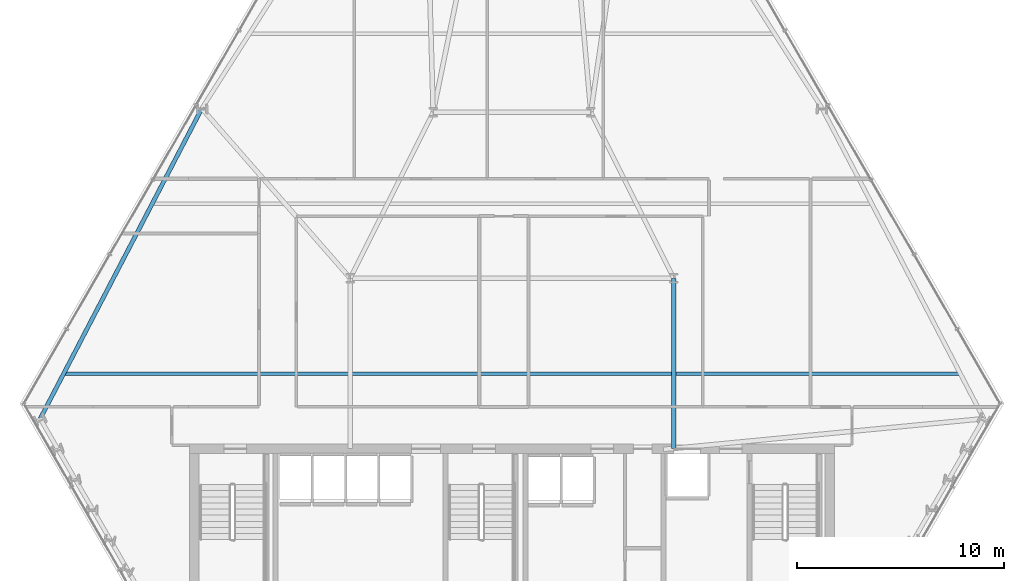
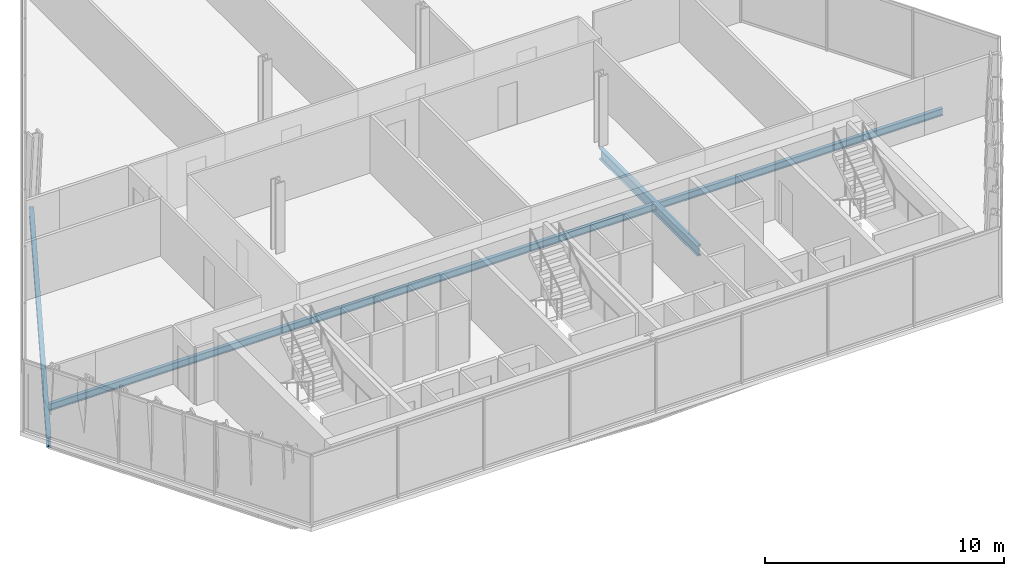
# One storey, part 12 of 32: 3 beams.
"""IFC4 building model written with IfcOpenShell, lengths in metres."""

import ifcopenshell
import ifcopenshell.guid

model = None  # the IFC model being written
_history = None  # IfcOwnerHistory: only IFC2X3 demands one
_inside = {}  # id of a spatial element -> (the spatial element, [elements in it])
_under = {}  # id of a project, library or spatial element -> (it, [spatial elements below it])
_declared = {}  # id of a project -> (the project, [libraries it declares])
_typed = {}  # id of a type object -> (the type object, [elements of that type])
_made_of = {}  # id of a material, layer set ... -> (it, [elements and type objects made of it])


def new_model(schema):
    """Start an empty IFC model of exactly this schema.

    Asked for "IFC4X3", IfcOpenShell would pick the latest addendum, in which some entities
    have other attributes; the version numbers below select the first issue.
    IFC2X3 requires an IfcOwnerHistory on every rooted entity: one is made here for all.
    """
    global model, _history
    if schema == "IFC4X3":
        model = ifcopenshell.file(schema_version=(4, 3, 0, 0))
    else:
        model = ifcopenshell.file(schema=schema)
    _inside.clear()
    _under.clear()
    _declared.clear()
    _typed.clear()
    _made_of.clear()
    _history = None
    if model.schema == "IFC2X3":
        org = make("IfcOrganization", Name="unknown")
        user = make(
            "IfcPersonAndOrganization",
            ThePerson=make("IfcPerson", FamilyName="unknown"),
            TheOrganization=org,
        )
        app = make(
            "IfcApplication",
            ApplicationDeveloper=org,
            Version="unknown",
            ApplicationFullName="unknown",
            ApplicationIdentifier="unknown",
        )
        _history = make(
            "IfcOwnerHistory",
            OwningUser=user,
            OwningApplication=app,
            ChangeAction="ADDED",
            CreationDate=0,
        )
    return model


def make(cls, **values):
    """One entity of the class cls with the attributes given. An attribute that is None is left unset."""
    return model.create_entity(
        cls, **{name: value for name, value in values.items() if value is not None}
    )


def rooted(cls, **values):
    """An entity with a GlobalId (a new one), such as an element, a storey or a relation."""
    return make(cls, GlobalId=ifcopenshell.guid.new(), OwnerHistory=_history, **values)


def si_unit(unit_type, name, prefix=None):
    """IfcSIUnit, for example si_unit("LENGTHUNIT", "METRE", prefix="MILLI")."""
    return make("IfcSIUnit", UnitType=unit_type, Prefix=prefix, Name=name)


def assignment(units):
    """IfcUnitAssignment: the units of a project."""
    return None if units is None else make("IfcUnitAssignment", Units=units)


def point(xyz):
    """IfcCartesianPoint."""
    return None if xyz is None else make("IfcCartesianPoint", Coordinates=xyz)


def direction(xyz):
    """IfcDirection."""
    return None if xyz is None else make("IfcDirection", DirectionRatios=xyz)


def frame(location, z_axis=None, x_axis=None):
    """IfcAxis2Placement3D, a coordinate frame: its origin and axes. An axis left out is left unset."""
    return make(
        "IfcAxis2Placement3D",
        Location=point(location),
        Axis=direction(z_axis),
        RefDirection=direction(x_axis),
    )


def frame_2d(location, x_axis=None):
    """IfcAxis2Placement2D, a coordinate frame in the plane: its origin and x axis."""
    return make(
        "IfcAxis2Placement2D", Location=point(location), RefDirection=direction(x_axis)
    )


def origin():
    """The frame at (0, 0, 0) with its axes left unset."""
    return frame((0.0, 0.0, 0.0))


def origin_2d():
    """The frame at (0, 0) in the plane with its x axis left unset."""
    return frame_2d((0.0, 0.0))


def place(relative_to, where):
    """IfcLocalPlacement: puts the frame where relative to a parent placement (None: the world)."""
    return make(
        "IfcLocalPlacement", PlacementRelTo=relative_to, RelativePlacement=where
    )


def context(
    kind, dimensions, precision=None, world=None, true_north=None, identifier=None
):
    """IfcGeometricRepresentationContext, for example the 3D "Model" context."""
    return make(
        "IfcGeometricRepresentationContext",
        ContextIdentifier=identifier,
        ContextType=kind,
        CoordinateSpaceDimension=dimensions,
        Precision=precision,
        WorldCoordinateSystem=world,
        TrueNorth=true_north,
    )


def subcontext(parent, identifier, kind, view, scale=None):
    """IfcGeometricRepresentationSubContext, for example "Body" below "Model"."""
    return make(
        "IfcGeometricRepresentationSubContext",
        ContextIdentifier=identifier,
        ContextType=kind,
        ParentContext=parent,
        TargetScale=scale,
        TargetView=view,
    )


def project(units=None, contexts=None):
    """IfcProject with its units and contexts."""
    return rooted(
        "IfcProject",
        Name="project",
        RepresentationContexts=contexts,
        UnitsInContext=assignment(units),
    )


def spatial(cls, under=None, at=None, **own):
    """A site, building, storey or space (cls), placed at a placement, below another one or the project."""
    s = rooted(cls, ObjectPlacement=at, **own)
    if under is not None:
        _under.setdefault(under.id(), (under, []))[1].append(s)
    return s


def profile(cls, at=None, kind="AREA", **sizes):
    """A parametric profile (cls). Its sizes go by their IFC names, for example OverallWidth=200.0."""
    return make(cls, ProfileType=kind, Position=at, **sizes)


def i_section(**sizes):
    """IfcIShapeProfileDef."""
    return profile("IfcIShapeProfileDef", **sizes)


def extrude(swept, where, along, depth):
    """IfcExtrudedAreaSolid: the profile swept, set in the frame where, extruded along a direction by depth."""
    return make(
        "IfcExtrudedAreaSolid",
        SweptArea=swept,
        Position=where,
        ExtrudedDirection=direction(along),
        Depth=depth,
    )


def shape(context_of_items, identifier, shape_type, items):
    """IfcShapeRepresentation: the items that make up one representation, for example the "Body"."""
    return make(
        "IfcShapeRepresentation",
        ContextOfItems=context_of_items,
        RepresentationIdentifier=identifier,
        RepresentationType=shape_type,
        Items=items,
    )


def material(Name=None, Category=None):
    """IfcMaterial."""
    return make("IfcMaterial", Name=Name, Category=Category)


def material_profile(
    of_material, cross_section, Name=None, Category=None, Priority=None
):
    """IfcMaterialProfile: a cross section and its material."""
    return make(
        "IfcMaterialProfile",
        Name=Name,
        Material=of_material,
        Profile=cross_section,
        Priority=Priority,
        Category=Category,
    )


def profile_set(profiles, Name=None, composite=None):
    """IfcMaterialProfileSet."""
    return make(
        "IfcMaterialProfileSet",
        Name=Name,
        MaterialProfiles=profiles,
        CompositeProfile=composite,
    )


def made_of(thing, what):
    """Note that an element or type object is made of a material, layer set ...; save() writes the relation."""
    if what is not None:
        _made_of.setdefault(what.id(), (what, []))[1].append(thing)
    return thing


def type_object(cls, material=None, **own):
    """A type object (cls), such as IfcWallType, which elements share."""
    return made_of(rooted(cls, **own), material)


def element(
    cls,
    number,
    at=None,
    inside=None,
    cuts=None,
    type_object=None,
    material=None,
    context=None,
    identifier="Body",
    shape_type=None,
    held_by="IfcProductDefinitionShape",
    body=None,
    shapes=None,
    **own,
):
    """One element of the class cls, such as IfcWall. Its Tag is "e" and its number.

    at: its placement. inside: the storey or other place that contains it. cuts: it is an
    opening in that element (IfcRelVoidsElement). A single representation is given by context,
    identifier, shape_type and body (its items); several are given by shapes. held_by: the class
    of the entity that holds the representations. save() writes the other relations.
    """
    e = rooted(cls, Tag="e%d" % number, ObjectPlacement=at, **own)
    if body is not None:
        shapes = [shape(context, identifier, shape_type, body)]
    if shapes is not None:
        e.Representation = make(held_by, Representations=shapes)
    if inside is not None:
        _inside.setdefault(inside.id(), (inside, []))[1].append(e)
    if cuts is not None:
        rooted(
            "IfcRelVoidsElement", RelatingBuildingElement=cuts, RelatedOpeningElement=e
        )
    if type_object is not None:
        _typed.setdefault(type_object.id(), (type_object, []))[1].append(e)
    return made_of(e, material)


def aggregate(whole, parts):
    """IfcRelAggregates: a whole, such as a stair, and the parts it consists of."""
    return rooted("IfcRelAggregates", RelatingObject=whole, RelatedObjects=parts)


def save(model, path):
    """Write the relations noted so far, then the file.

    IfcRelAggregates (storeys below a building ...), IfcRelContainedInSpatialStructure (elements
    in a storey), IfcRelDefinesByType, IfcRelAssociatesMaterial and IfcRelDeclares: one each for
    every whole, place, type object, material and project.
    """
    for whole, parts in _under.values():
        aggregate(whole, parts)
    for where, things in _inside.values():
        rooted(
            "IfcRelContainedInSpatialStructure",
            RelatedElements=things,
            RelatingStructure=where,
        )
    for kind, things in _typed.values():
        rooted("IfcRelDefinesByType", RelatedObjects=things, RelatingType=kind)
    for what, things in _made_of.values():
        rooted("IfcRelAssociatesMaterial", RelatedObjects=things, RelatingMaterial=what)
    for by, libraries in _declared.values():
        rooted("IfcRelDeclares", RelatingContext=by, RelatedDefinitions=libraries)
    model.write(path)


model = new_model("IFC4")

# Units and contexts
model_context = context("Model", 3, precision=1e-05, world=origin(), true_north=direction((0.0, 1.0)))
body_context = subcontext(model_context, "Body", "Model", "MODEL_VIEW")
ifc_project = project(units=[si_unit("LENGTHUNIT", "METRE"), si_unit("AREAUNIT", "SQUARE_METRE"), si_unit("VOLUMEUNIT", "CUBIC_METRE"), si_unit("PLANEANGLEUNIT", "RADIAN"), si_unit("MASSUNIT", "GRAM", prefix="KILO")], contexts=[model_context])

# Site, building, storey
site_placement = place(None, origin())
site = spatial("IfcSite", under=ifc_project, at=site_placement, CompositionType="ELEMENT")
building_placement = place(site_placement, origin())
building = spatial("IfcBuilding", under=site, at=building_placement, Name="Ndaravel Arena Tower", CompositionType="ELEMENT")
storey_placement = place(building_placement, frame((0.0, 0.0, 96.800048828125)))
storey = spatial("IfcBuildingStorey", under=building, at=storey_placement, Name="L22", CompositionType="ELEMENT", Elevation=96.800048828125)

# Beams
ifc_material_1 = material(Name="Steel S355", Category="steel")
ifc_material_profile_1 = material_profile(ifc_material_1, i_section(OverallWidth=0.210693359375, OverallDepth=0.53955078125, WebThickness=0.01171875, FlangeThickness=0.018798828125, FilletRadius=0.0126953125, at=origin_2d()), Name="UB 533x210x109")
ifc_profile_set_1 = profile_set([ifc_material_profile_1], Name="Steel S355")
beam_type_1 = type_object("IfcBeamType", Name="BM-GIRD-UB533", PredefinedType="BEAM", material=ifc_profile_set_1)
beam_1_placement = place(storey_placement, frame((49.800048828125, 14.97998046875, -0.48974609375), z_axis=(0.0, 1.0, 0.0), x_axis=(-1.0, 0.0, 0.0)))
element("IfcBeam", 1, at=beam_1_placement, inside=storey, type_object=beam_type_1, Name="L22 Spine Link Girder SLG-02", PredefinedType="BEAM", context=body_context, shape_type="SweptSolid", body=[
    extrude(i_section(OverallWidth=0.210693359375, OverallDepth=0.53955078125, WebThickness=0.01171875, FlangeThickness=0.018798828125, FilletRadius=0.0126953125, at=origin_2d()), origin(), (0.0, 0.0, 1.0), 8.219970703125),
])
ifc_material_2 = material(Name="Steel S355", Category="steel")
ifc_material_profile_2 = material_profile(ifc_material_2, i_section(OverallWidth=0.169921875, OverallDepth=0.360107421875, WebThickness=0.008056640625, FlangeThickness=0.0126953125, FilletRadius=0.01806640625, at=origin_2d()), Name="IPE 360")
ifc_profile_set_2 = profile_set([ifc_material_profile_2], Name="Steel S355")
beam_type_2 = type_object("IfcBeamType", Name="BM-JOIST-IPE360", PredefinedType="JOIST", material=ifc_profile_set_2)
beam_2_placement = place(storey_placement, frame((20.38037109375, 18.60009765625, -0.400146484375), z_axis=(1.0, 0.0, 0.0), x_axis=(0.0, 1.0, 0.0)))
element("IfcBeam", 2, at=beam_2_placement, inside=storey, type_object=beam_type_2, Name="L22 Composite Floor Joist FJ-01", PredefinedType="JOIST", context=body_context, shape_type="SweptSolid", body=[
    extrude(i_section(OverallWidth=0.169921875, OverallDepth=0.360107421875, WebThickness=0.008056640625, FlangeThickness=0.0126953125, FilletRadius=0.01806640625, at=origin_2d()), origin(), (0.0, 0.0, 1.0), 43.2392578125),
])
ifc_material_3 = material(Name="Steel S355", Category="steel")
ifc_material_profile_3 = material_profile(ifc_material_3, i_section(OverallWidth=0.199951171875, OverallDepth=0.5, WebThickness=0.01025390625, FlangeThickness=0.01611328125, FilletRadius=0.02099609375, at=origin_2d()), Name="IPE 500")
ifc_profile_set_3 = profile_set([ifc_material_profile_3], Name="Steel S355")
beam_type_3 = type_object("IfcBeamType", Name="BM-SPAN-IPE500", PredefinedType="SPANDREL", material=ifc_profile_set_3)
beam_3_placement = place(storey_placement, frame((27.04248046875, 31.387451171875, -0.469970703125), z_axis=(-0.462050421947, -0.886853656236, 0.0), x_axis=(0.886853656236, -0.462050421947, 0.0)))
element("IfcBeam", 3, at=beam_3_placement, inside=storey, type_object=beam_type_3, Name="L22 Perimeter Spandrel Beam SP-19", PredefinedType="SPANDREL", context=body_context, shape_type="SweptSolid", body=[
    extrude(i_section(OverallWidth=0.199951171875, OverallDepth=0.5, WebThickness=0.01025390625, FlangeThickness=0.01611328125, FilletRadius=0.02099609375, at=origin_2d()), origin(), (0.0, 0.0, 1.0), 16.864990234375),
])

save(model, "model.ifc")
